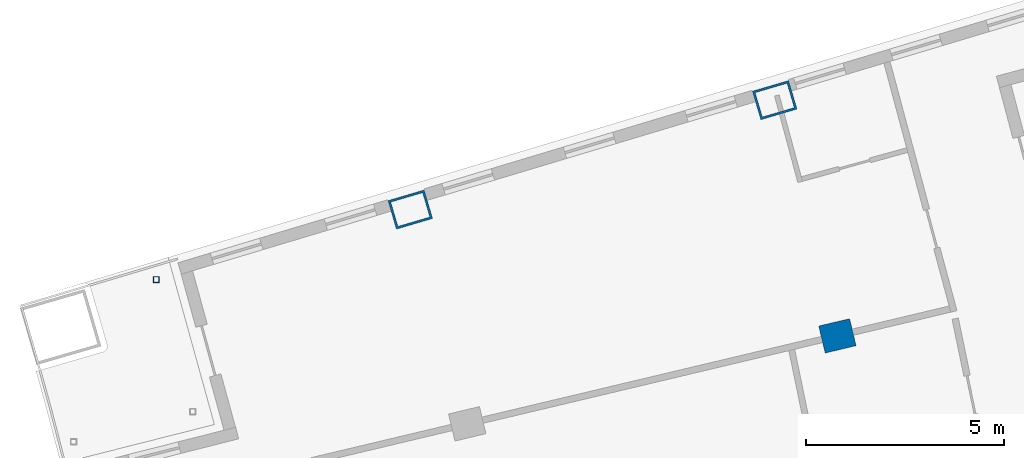
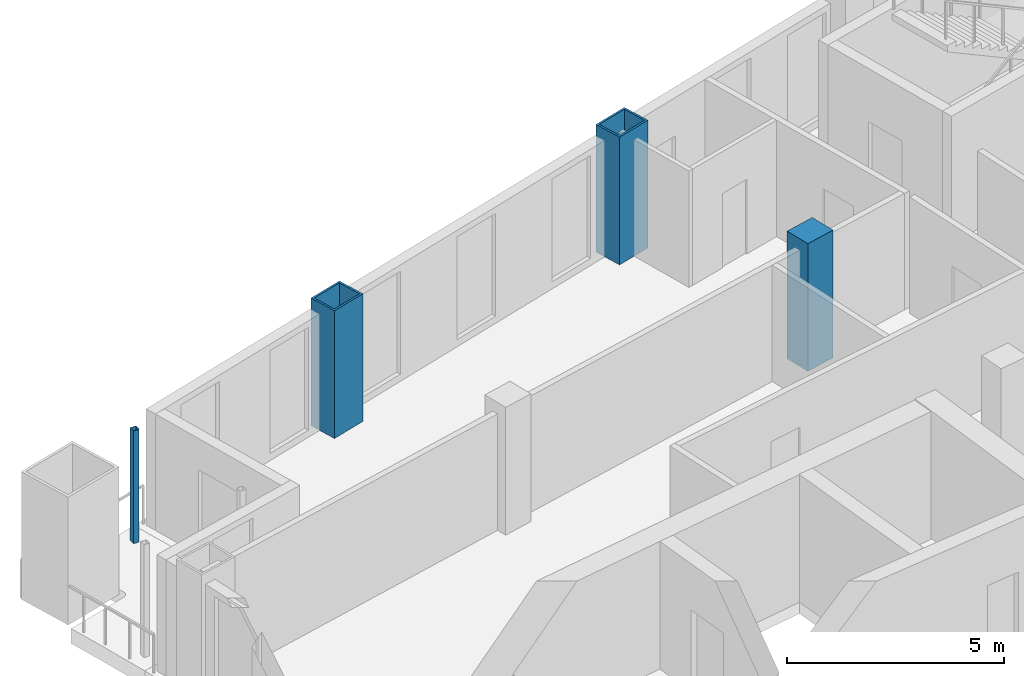
# One storey, part 7 of 19: 4 columns.
"""IFC4 building model written with IfcOpenShell, lengths in metres."""

from ifc_helpers import new_model, si_unit, direction, frame, origin, origin_2d, place, context, subcontext, project, spatial, rectangle, hollow_rectangle, extrude, material, material_profile, profile_set, type_object, element, save


model = new_model("IFC4")

# Units and contexts
model_context = context("Model", 3, precision=1e-05, world=origin(), true_north=direction((0.0, 1.0)))
body_context = subcontext(model_context, "Body", "Model", "MODEL_VIEW")
ifc_project = project(units=[si_unit("LENGTHUNIT", "METRE"), si_unit("AREAUNIT", "SQUARE_METRE"), si_unit("VOLUMEUNIT", "CUBIC_METRE"), si_unit("PLANEANGLEUNIT", "RADIAN"), si_unit("MASSUNIT", "GRAM", prefix="KILO")], contexts=[model_context])

# Site, building, storey
site_placement = place(None, origin())
site = spatial("IfcSite", under=ifc_project, at=site_placement, CompositionType="ELEMENT")
building_placement = place(site_placement, origin())
building = spatial("IfcBuilding", under=site, at=building_placement, Name="Alderwake Tower", CompositionType="ELEMENT")
storey_placement = place(building_placement, frame((0.0, 0.0, 192.800048828125)))
storey = spatial("IfcBuildingStorey", under=building, at=storey_placement, Name="L47", CompositionType="ELEMENT", Elevation=192.800048828125)

# Columns
ifc_material_1 = material(Name="Steel ASTM A572 Grade 50 concrete filled C70/85", Category="concrete")
ifc_material_profile_1 = material_profile(ifc_material_1, hollow_rectangle(XDim=0.75, YDim=0.949951171875, WallThickness=0.054931640625, at=origin_2d()), Name="BOX 950X750X55")
ifc_profile_set_1 = profile_set([ifc_material_profile_1], Name="Steel ASTM A572 Grade 50 concrete filled C70/85")
column_type_1 = type_object("IfcColumnType", Name="End column Z4", PredefinedType="COLUMN", material=ifc_profile_set_1)
for number, where, z_axis, x_axis, name in (
    (1, (21.885498046875, 90.96240234375, 0.0), (0.0, 0.0, 1.0), (-0.282132160283, 0.95937554906, 0.0), "Column R12-C1"),
    (2, (31.080322265625, 93.72314453125, 0.0), (0.0, 0.0, 1.0), (-0.282582549822, 0.959242984095, 0.0), "Column R12-C2"),
):
    element("IfcColumn", number, at=place(storey_placement, frame(where, z_axis=z_axis, x_axis=x_axis)), inside=storey, type_object=column_type_1, Name=name, PredefinedType="COLUMN", context=body_context, shape_type="SweptSolid", body=[
        extrude(hollow_rectangle(XDim=0.75, YDim=0.949951171875, WallThickness=0.054931640625, at=origin_2d()), origin(), (0.0, 0.0, 1.0), 3.599853515625),
    ])
ifc_material_2 = material(Name="Concrete C70/85", Category="concrete")
ifc_material_profile_2 = material_profile(ifc_material_2, rectangle(XDim=0.699951171875, YDim=0.800048828125, at=origin_2d()), Name="RC 800X700")
ifc_profile_set_2 = profile_set([ifc_material_profile_2], Name="Concrete C70/85")
column_type_2 = type_object("IfcColumnType", Name="Interior column Z4", PredefinedType="COLUMN", material=ifc_profile_set_2)
column_1_placement = place(storey_placement, frame((32.661865234375, 87.775390625, 0.0), z_axis=(0.0, 0.0, 1.0), x_axis=(-0.231221547198, 0.972901123502, 0.0)))
element("IfcColumn", 3, at=column_1_placement, inside=storey, type_object=column_type_2, Name="Column R11-C2", PredefinedType="COLUMN", context=body_context, shape_type="SweptSolid", body=[
    extrude(rectangle(XDim=0.699951171875, YDim=0.800048828125, at=origin_2d()), origin(), (0.0, 0.0, 1.0), 3.599853515625),
])
ifc_material_3 = material(Name="Steel ASTM A500 Grade C", Category="steel")
ifc_material_profile_3 = material_profile(ifc_material_3, hollow_rectangle(XDim=0.15234375, YDim=0.15234375, WallThickness=0.0087890625, at=origin_2d()), Name="HSS6X6X3/8")
ifc_profile_set_3 = profile_set([ifc_material_profile_3], Name="Steel ASTM A500 Grade C")
column_type_3 = type_object("IfcColumnType", Name="Light post HSS6X6X3/8", PredefinedType="COLUMN", material=ifc_profile_set_3)
column_2_placement = place(storey_placement, frame((15.47412109375, 89.194091796875, 0.0), z_axis=(0.0, 0.0, 1.0), x_axis=(1.0, 0.0, 0.0)))
element("IfcColumn", 4, at=column_2_placement, inside=storey, type_object=column_type_3, Name="Terrace post RN2", PredefinedType="COLUMN", context=body_context, shape_type="SweptSolid", body=[
    extrude(hollow_rectangle(XDim=0.15234375, YDim=0.15234375, WallThickness=0.0087890625, at=origin_2d()), origin(), (0.0, 0.0, 1.0), 3.179931640625),
])

save(model, "model.ifc")
